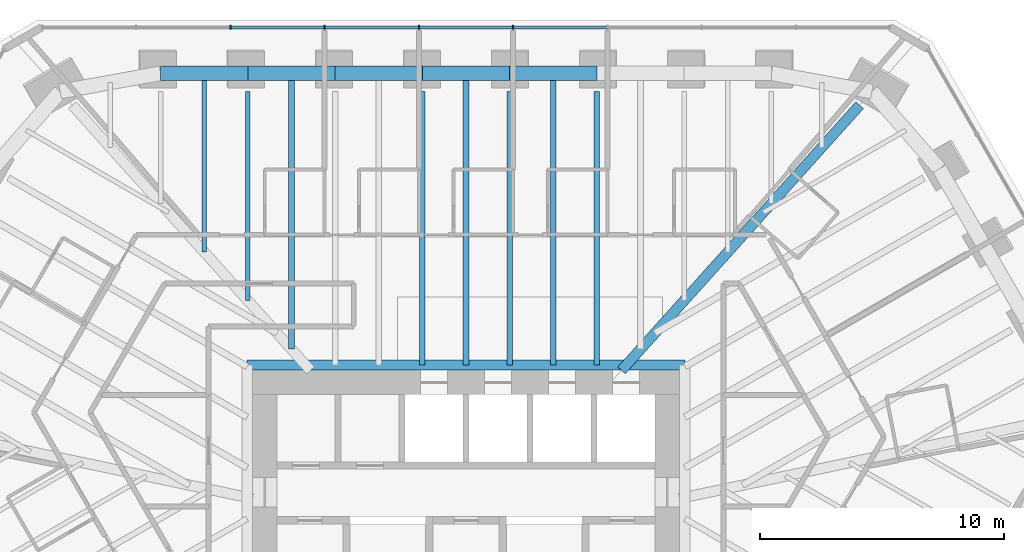
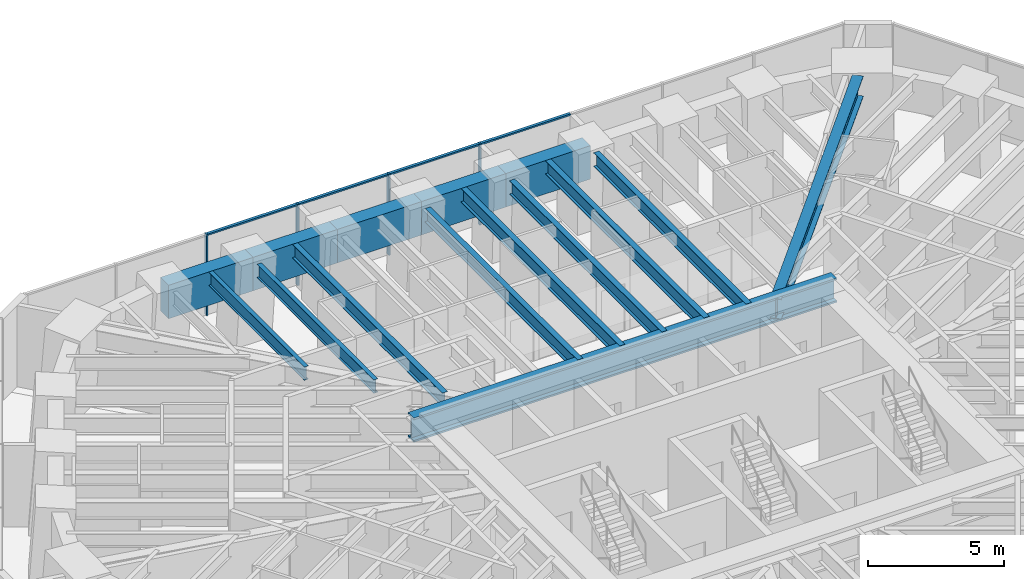
# One storey, part 8 of 17: 15 beams, 8 members, 1 element without a shape of its own.
"""IFC4 building model written with IfcOpenShell, lengths in metres."""

import ifcopenshell
import ifcopenshell.guid

model = None  # the IFC model being written
_history = None  # IfcOwnerHistory: only IFC2X3 demands one
_inside = {}  # id of a spatial element -> (the spatial element, [elements in it])
_under = {}  # id of a project, library or spatial element -> (it, [spatial elements below it])
_declared = {}  # id of a project -> (the project, [libraries it declares])
_typed = {}  # id of a type object -> (the type object, [elements of that type])
_made_of = {}  # id of a material, layer set ... -> (it, [elements and type objects made of it])


def new_model(schema):
    """Start an empty IFC model of exactly this schema.

    Asked for "IFC4X3", IfcOpenShell would pick the latest addendum, in which some entities
    have other attributes; the version numbers below select the first issue.
    IFC2X3 requires an IfcOwnerHistory on every rooted entity: one is made here for all.
    """
    global model, _history
    if schema == "IFC4X3":
        model = ifcopenshell.file(schema_version=(4, 3, 0, 0))
    else:
        model = ifcopenshell.file(schema=schema)
    _inside.clear()
    _under.clear()
    _declared.clear()
    _typed.clear()
    _made_of.clear()
    _history = None
    if model.schema == "IFC2X3":
        org = make("IfcOrganization", Name="unknown")
        user = make(
            "IfcPersonAndOrganization",
            ThePerson=make("IfcPerson", FamilyName="unknown"),
            TheOrganization=org,
        )
        app = make(
            "IfcApplication",
            ApplicationDeveloper=org,
            Version="unknown",
            ApplicationFullName="unknown",
            ApplicationIdentifier="unknown",
        )
        _history = make(
            "IfcOwnerHistory",
            OwningUser=user,
            OwningApplication=app,
            ChangeAction="ADDED",
            CreationDate=0,
        )
    return model


def make(cls, **values):
    """One entity of the class cls with the attributes given. An attribute that is None is left unset."""
    return model.create_entity(
        cls, **{name: value for name, value in values.items() if value is not None}
    )


def rooted(cls, **values):
    """An entity with a GlobalId (a new one), such as an element, a storey or a relation."""
    return make(cls, GlobalId=ifcopenshell.guid.new(), OwnerHistory=_history, **values)


def si_unit(unit_type, name, prefix=None):
    """IfcSIUnit, for example si_unit("LENGTHUNIT", "METRE", prefix="MILLI")."""
    return make("IfcSIUnit", UnitType=unit_type, Prefix=prefix, Name=name)


def assignment(units):
    """IfcUnitAssignment: the units of a project."""
    return None if units is None else make("IfcUnitAssignment", Units=units)


def point(xyz):
    """IfcCartesianPoint."""
    return None if xyz is None else make("IfcCartesianPoint", Coordinates=xyz)


def direction(xyz):
    """IfcDirection."""
    return None if xyz is None else make("IfcDirection", DirectionRatios=xyz)


def frame(location, z_axis=None, x_axis=None):
    """IfcAxis2Placement3D, a coordinate frame: its origin and axes. An axis left out is left unset."""
    return make(
        "IfcAxis2Placement3D",
        Location=point(location),
        Axis=direction(z_axis),
        RefDirection=direction(x_axis),
    )


def frame_2d(location, x_axis=None):
    """IfcAxis2Placement2D, a coordinate frame in the plane: its origin and x axis."""
    return make(
        "IfcAxis2Placement2D", Location=point(location), RefDirection=direction(x_axis)
    )


def origin():
    """The frame at (0, 0, 0) with its axes left unset."""
    return frame((0.0, 0.0, 0.0))


def origin_2d():
    """The frame at (0, 0) in the plane with its x axis left unset."""
    return frame_2d((0.0, 0.0))


def place(relative_to, where):
    """IfcLocalPlacement: puts the frame where relative to a parent placement (None: the world)."""
    return make(
        "IfcLocalPlacement", PlacementRelTo=relative_to, RelativePlacement=where
    )


def context(
    kind, dimensions, precision=None, world=None, true_north=None, identifier=None
):
    """IfcGeometricRepresentationContext, for example the 3D "Model" context."""
    return make(
        "IfcGeometricRepresentationContext",
        ContextIdentifier=identifier,
        ContextType=kind,
        CoordinateSpaceDimension=dimensions,
        Precision=precision,
        WorldCoordinateSystem=world,
        TrueNorth=true_north,
    )


def subcontext(parent, identifier, kind, view, scale=None):
    """IfcGeometricRepresentationSubContext, for example "Body" below "Model"."""
    return make(
        "IfcGeometricRepresentationSubContext",
        ContextIdentifier=identifier,
        ContextType=kind,
        ParentContext=parent,
        TargetScale=scale,
        TargetView=view,
    )


def project(units=None, contexts=None):
    """IfcProject with its units and contexts."""
    return rooted(
        "IfcProject",
        Name="project",
        RepresentationContexts=contexts,
        UnitsInContext=assignment(units),
    )


def spatial(cls, under=None, at=None, **own):
    """A site, building, storey or space (cls), placed at a placement, below another one or the project."""
    s = rooted(cls, ObjectPlacement=at, **own)
    if under is not None:
        _under.setdefault(under.id(), (under, []))[1].append(s)
    return s


def profile(cls, at=None, kind="AREA", **sizes):
    """A parametric profile (cls). Its sizes go by their IFC names, for example OverallWidth=200.0."""
    return make(cls, ProfileType=kind, Position=at, **sizes)


def rectangle(**sizes):
    """IfcRectangleProfileDef."""
    return profile("IfcRectangleProfileDef", **sizes)


def i_section(**sizes):
    """IfcIShapeProfileDef."""
    return profile("IfcIShapeProfileDef", **sizes)


def extrude(swept, where, along, depth):
    """IfcExtrudedAreaSolid: the profile swept, set in the frame where, extruded along a direction by depth."""
    return make(
        "IfcExtrudedAreaSolid",
        SweptArea=swept,
        Position=where,
        ExtrudedDirection=direction(along),
        Depth=depth,
    )


def shape(context_of_items, identifier, shape_type, items):
    """IfcShapeRepresentation: the items that make up one representation, for example the "Body"."""
    return make(
        "IfcShapeRepresentation",
        ContextOfItems=context_of_items,
        RepresentationIdentifier=identifier,
        RepresentationType=shape_type,
        Items=items,
    )


def material(Name=None, Category=None):
    """IfcMaterial."""
    return make("IfcMaterial", Name=Name, Category=Category)


def material_profile(
    of_material, cross_section, Name=None, Category=None, Priority=None
):
    """IfcMaterialProfile: a cross section and its material."""
    return make(
        "IfcMaterialProfile",
        Name=Name,
        Material=of_material,
        Profile=cross_section,
        Priority=Priority,
        Category=Category,
    )


def profile_set(profiles, Name=None, composite=None):
    """IfcMaterialProfileSet."""
    return make(
        "IfcMaterialProfileSet",
        Name=Name,
        MaterialProfiles=profiles,
        CompositeProfile=composite,
    )


def made_of(thing, what):
    """Note that an element or type object is made of a material, layer set ...; save() writes the relation."""
    if what is not None:
        _made_of.setdefault(what.id(), (what, []))[1].append(thing)
    return thing


def type_object(cls, material=None, **own):
    """A type object (cls), such as IfcWallType, which elements share."""
    return made_of(rooted(cls, **own), material)


def element(
    cls,
    number,
    at=None,
    inside=None,
    cuts=None,
    type_object=None,
    material=None,
    context=None,
    identifier="Body",
    shape_type=None,
    held_by="IfcProductDefinitionShape",
    body=None,
    shapes=None,
    **own,
):
    """One element of the class cls, such as IfcWall. Its Tag is "e" and its number.

    at: its placement. inside: the storey or other place that contains it. cuts: it is an
    opening in that element (IfcRelVoidsElement). A single representation is given by context,
    identifier, shape_type and body (its items); several are given by shapes. held_by: the class
    of the entity that holds the representations. save() writes the other relations.
    """
    e = rooted(cls, Tag="e%d" % number, ObjectPlacement=at, **own)
    if body is not None:
        shapes = [shape(context, identifier, shape_type, body)]
    if shapes is not None:
        e.Representation = make(held_by, Representations=shapes)
    if inside is not None:
        _inside.setdefault(inside.id(), (inside, []))[1].append(e)
    if cuts is not None:
        rooted(
            "IfcRelVoidsElement", RelatingBuildingElement=cuts, RelatedOpeningElement=e
        )
    if type_object is not None:
        _typed.setdefault(type_object.id(), (type_object, []))[1].append(e)
    return made_of(e, material)


def aggregate(whole, parts):
    """IfcRelAggregates: a whole, such as a stair, and the parts it consists of."""
    return rooted("IfcRelAggregates", RelatingObject=whole, RelatedObjects=parts)


def save(model, path):
    """Write the relations noted so far, then the file.

    IfcRelAggregates (storeys below a building ...), IfcRelContainedInSpatialStructure (elements
    in a storey), IfcRelDefinesByType, IfcRelAssociatesMaterial and IfcRelDeclares: one each for
    every whole, place, type object, material and project.
    """
    for whole, parts in _under.values():
        aggregate(whole, parts)
    for where, things in _inside.values():
        rooted(
            "IfcRelContainedInSpatialStructure",
            RelatedElements=things,
            RelatingStructure=where,
        )
    for kind, things in _typed.values():
        rooted("IfcRelDefinesByType", RelatedObjects=things, RelatingType=kind)
    for what, things in _made_of.values():
        rooted("IfcRelAssociatesMaterial", RelatedObjects=things, RelatingMaterial=what)
    for by, libraries in _declared.values():
        rooted("IfcRelDeclares", RelatingContext=by, RelatedDefinitions=libraries)
    model.write(path)


model = new_model("IFC4")

# Units and contexts
model_context = context("Model", 3, precision=1e-05, world=origin(), true_north=direction((0.0, 1.0)))
body_context = subcontext(model_context, "Body", "Model", "MODEL_VIEW")
ifc_project = project(units=[si_unit("LENGTHUNIT", "METRE"), si_unit("AREAUNIT", "SQUARE_METRE"), si_unit("VOLUMEUNIT", "CUBIC_METRE"), si_unit("PLANEANGLEUNIT", "RADIAN"), si_unit("MASSUNIT", "GRAM", prefix="KILO")], contexts=[model_context])

# Site, building, storey
site_placement = place(None, origin())
site = spatial("IfcSite", under=ifc_project, at=site_placement, CompositionType="ELEMENT")
building_placement = place(site_placement, origin())
building = spatial("IfcBuilding", under=site, at=building_placement, Name="Sandreach Pilgrim Tower", CompositionType="ELEMENT")
storey_placement = place(building_placement, frame((0.0, 0.0, 240.199951171875)))
storey = spatial("IfcBuildingStorey", under=building, at=storey_placement, Name="L60", CompositionType="ELEMENT", Elevation=240.199951171875)

# Curtain wall, members
ifc_material_1 = material(Name="Aluminium framed curtain wall", Category="aluminium")
curtain_wall_type = type_object("IfcCurtainWallType", Name="Upper hotel tower curtain wall", PredefinedType="NOTDEFINED", material=ifc_material_1)
curtain_wall_placement = place(storey_placement, origin())
curtain_wall = element("IfcCurtainWall", 1, at=curtain_wall_placement, inside=storey, type_object=curtain_wall_type, Name="CW-3 L60 N", PredefinedType="NOTDEFINED")
ifc_material_2 = material(Name="Aluminium extrusion", Category="aluminium")
ifc_material_profile_1 = material_profile(ifc_material_2, rectangle(XDim=0.06494140625, YDim=0.159912109375, at=origin_2d()), Name="CW-3M 65X160")
ifc_profile_set_1 = profile_set([ifc_material_profile_1], Name="Aluminium extrusion")
member_type_1 = type_object("IfcMemberType", Name="CW-3 mullion", PredefinedType="MULLION", material=ifc_profile_set_1)
member_1_placement = place(storey_placement, frame((-9.6611328125, 21.16015625, 0.0), z_axis=(0.0, 0.0, 1.0), x_axis=(1.0, 0.0, 0.0)))
member_1 = element("IfcMember", 2, at=member_1_placement, type_object=member_type_1, Name="CW-3 mullion 3", PredefinedType="MULLION", context=body_context, shape_type="SweptSolid", body=[
    extrude(rectangle(XDim=0.06494140625, YDim=0.159912109375, at=origin_2d()), origin(), (0.0, 0.0, 1.0), 3.64013671875),
])
member_2_placement = place(storey_placement, frame((-5.796630859375, 21.16015625, 0.0), z_axis=(0.0, 0.0, 1.0), x_axis=(1.0, 0.0, 0.0)))
member_2 = element("IfcMember", 3, at=member_2_placement, type_object=member_type_1, Name="CW-3 mullion 4", PredefinedType="MULLION", context=body_context, shape_type="SweptSolid", body=[
    extrude(rectangle(XDim=0.06494140625, YDim=0.159912109375, at=origin_2d()), origin(), (0.0, 0.0, 1.0), 3.64013671875),
])
member_3_placement = place(storey_placement, frame((-1.93212890625, 21.16015625, 0.0), z_axis=(0.0, 0.0, 1.0), x_axis=(1.0, 0.0, 0.0)))
member_3 = element("IfcMember", 4, at=member_3_placement, type_object=member_type_1, Name="CW-3 mullion 5", PredefinedType="MULLION", context=body_context, shape_type="SweptSolid", body=[
    extrude(rectangle(XDim=0.06494140625, YDim=0.159912109375, at=origin_2d()), origin(), (0.0, 0.0, 1.0), 3.64013671875),
])
member_4_placement = place(storey_placement, frame((1.93212890625, 21.16015625, 0.0), z_axis=(0.0, 0.0, 1.0), x_axis=(1.0, 0.0, 0.0)))
member_4 = element("IfcMember", 5, at=member_4_placement, type_object=member_type_1, Name="CW-3 mullion 6", PredefinedType="MULLION", context=body_context, shape_type="SweptSolid", body=[
    extrude(rectangle(XDim=0.06494140625, YDim=0.159912109375, at=origin_2d()), origin(), (0.0, 0.0, 1.0), 3.64013671875),
])
ifc_material_3 = material(Name="Aluminium extrusion", Category="aluminium")
ifc_material_profile_2 = material_profile(ifc_material_3, rectangle(XDim=0.1201171875, YDim=0.070068359375, at=origin_2d()), Name="CW-3T 120X70")
ifc_profile_set_2 = profile_set([ifc_material_profile_2], Name="Aluminium extrusion")
member_type_2 = type_object("IfcMemberType", Name="CW-3 transom", PredefinedType="USERDEFINED", material=ifc_profile_set_2)
member_5_placement = place(storey_placement, frame((-9.628662109375, 21.16015625, 3.60498046875), z_axis=(1.0, 0.0, 0.0), x_axis=(0.0, 1.0, 0.0)))
member_5 = element("IfcMember", 6, at=member_5_placement, type_object=member_type_2, Name="CW-3 head transom 3", ObjectType="TRANSOM", PredefinedType="USERDEFINED", context=body_context, shape_type="SweptSolid", body=[
    extrude(rectangle(XDim=0.1201171875, YDim=0.070068359375, at=origin_2d()), origin(), (0.0, 0.0, 1.0), 3.799560546875),
])
member_6_placement = place(storey_placement, frame((-5.76416015625, 21.16015625, 3.60498046875), z_axis=(1.0, 0.0, 0.0), x_axis=(0.0, 1.0, 0.0)))
member_6 = element("IfcMember", 7, at=member_6_placement, type_object=member_type_2, Name="CW-3 head transom 4", ObjectType="TRANSOM", PredefinedType="USERDEFINED", context=body_context, shape_type="SweptSolid", body=[
    extrude(rectangle(XDim=0.1201171875, YDim=0.070068359375, at=origin_2d()), origin(), (0.0, 0.0, 1.0), 3.799560546875),
])
member_7_placement = place(storey_placement, frame((-1.899658203125, 21.16015625, 3.60498046875), z_axis=(1.0, 0.0, 0.0), x_axis=(0.0, 1.0, 0.0)))
member_7 = element("IfcMember", 8, at=member_7_placement, type_object=member_type_2, Name="CW-3 head transom 5", ObjectType="TRANSOM", PredefinedType="USERDEFINED", context=body_context, shape_type="SweptSolid", body=[
    extrude(rectangle(XDim=0.1201171875, YDim=0.070068359375, at=origin_2d()), origin(), (0.0, 0.0, 1.0), 3.79931640625),
])
member_8_placement = place(storey_placement, frame((1.964599609375, 21.16015625, 3.60498046875), z_axis=(1.0, 0.0, 0.0), x_axis=(0.0, 1.0, 0.0)))
member_8 = element("IfcMember", 9, at=member_8_placement, type_object=member_type_2, Name="CW-3 head transom 6", ObjectType="TRANSOM", PredefinedType="USERDEFINED", context=body_context, shape_type="SweptSolid", body=[
    extrude(rectangle(XDim=0.1201171875, YDim=0.070068359375, at=origin_2d()), origin(), (0.0, 0.0, 1.0), 3.799560546875),
])
aggregate(curtain_wall, [member_1, member_2, member_3, member_4, member_5, member_6, member_7, member_8])

# Beams
ifc_material_4 = material(Name="Steel ASTM A992 Grade 50", Category="steel")
ifc_material_profile_3 = material_profile(ifc_material_4, i_section(OverallWidth=0.424072265625, OverallDepth=1.09228515625, WebThickness=0.04541015625, FlangeThickness=0.08203125, at=origin_2d()), Name="W40X593")
ifc_profile_set_3 = profile_set([ifc_material_profile_3], Name="Steel ASTM A992 Grade 50")
beam_type_1 = type_object("IfcBeamType", Name="Core edge beam W40X593", PredefinedType="BEAM", material=ifc_profile_set_3)
beam_1_placement = place(storey_placement, frame((-8.97216796875, 7.322021484375, 3.093994140625), z_axis=(1.0, 0.0, 0.0), x_axis=(0.0, 1.0, 0.0)))
element("IfcBeam", 10, at=beam_1_placement, inside=storey, type_object=beam_type_1, Name="BM L60 CEN", PredefinedType="BEAM", context=body_context, shape_type="SweptSolid", body=[
    extrude(i_section(OverallWidth=0.424072265625, OverallDepth=1.09228515625, WebThickness=0.04541015625, FlangeThickness=0.08203125, at=origin_2d()), origin(), (0.0, 0.0, 1.0), 17.9443359375),
])
ifc_material_5 = material(Name="Steel ASTM A992 Grade 50", Category="steel")
ifc_material_profile_4 = material_profile(ifc_material_5, i_section(OverallWidth=0.419189453125, OverallDepth=0.927001953125, WebThickness=0.019287109375, FlangeThickness=0.031982421875, at=origin_2d()), Name="W36X231")
ifc_profile_set_4 = profile_set([ifc_material_profile_4], Name="Steel ASTM A992 Grade 50")
beam_type_2 = type_object("IfcBeamType", Name="Corner girder W36X231", PredefinedType="BEAM", material=ifc_profile_set_4)
beam_2_placement = place(storey_placement, frame((16.13427734375, 17.96826171875, 3.176513671875), z_axis=(-0.668111021474, -0.744061598918, 0.0), x_axis=(0.744061598918, -0.668111021474, 0.0)))
element("IfcBeam", 11, at=beam_2_placement, inside=storey, type_object=beam_type_2, Name="BM L60 CG09", PredefinedType="BEAM", context=body_context, shape_type="SweptSolid", body=[
    extrude(i_section(OverallWidth=0.419189453125, OverallDepth=0.927001953125, WebThickness=0.019287109375, FlangeThickness=0.031982421875, at=origin_2d()), origin(), (0.0, 0.0, 1.0), 14.6064453125),
])
ifc_material_6 = material(Name="Steel ASTM A992 Grade 50", Category="steel")
ifc_material_profile_5 = material_profile(ifc_material_6, i_section(OverallWidth=0.1787109375, OverallDepth=0.60205078125, WebThickness=0.010986328125, FlangeThickness=0.014892578125, at=origin_2d()), Name="W24X62")
ifc_profile_set_5 = profile_set([ifc_material_profile_5], Name="Steel ASTM A992 Grade 50")
beam_type_3 = type_object("IfcBeamType", Name="Floor beam W24X62", PredefinedType="BEAM", material=ifc_profile_set_5)
beam_3_placement = place(storey_placement, frame((-8.942138671875, 18.527099609375, 3.339111328125), z_axis=(0.0, -1.0, 0.0), x_axis=(1.0, 0.0, 0.0)))
element("IfcBeam", 12, at=beam_3_placement, inside=storey, type_object=beam_type_3, Name="BM L60 F02", PredefinedType="BEAM", context=body_context, shape_type="SweptSolid", body=[
    extrude(i_section(OverallWidth=0.1787109375, OverallDepth=0.60205078125, WebThickness=0.010986328125, FlangeThickness=0.014892578125, at=origin_2d()), origin(), (0.0, 0.0, 1.0), 8.568603515625),
])
beam_4_placement = place(storey_placement, frame((-10.730712890625, 19.277099609375, 3.339111328125), z_axis=(0.0, -1.0, 0.0), x_axis=(1.0, 0.0, 0.0)))
element("IfcBeam", 13, at=beam_4_placement, inside=storey, type_object=beam_type_3, Name="BM L60 FM01", PredefinedType="BEAM", context=body_context, shape_type="SweptSolid", body=[
    extrude(i_section(OverallWidth=0.1787109375, OverallDepth=0.60205078125, WebThickness=0.010986328125, FlangeThickness=0.014892578125, at=origin_2d()), origin(), (0.0, 0.0, 1.0), 7.326904296875),
])
ifc_material_7 = material(Name="Steel ASTM A992 Grade 50", Category="steel")
ifc_material_profile_6 = material_profile(ifc_material_7, i_section(OverallWidth=0.23046875, OverallDepth=0.6171875, WebThickness=0.01318359375, FlangeThickness=0.022216796875, at=origin_2d()), Name="W24X94")
ifc_profile_set_6 = profile_set([ifc_material_profile_6], Name="Steel ASTM A992 Grade 50")
beam_type_4 = type_object("IfcBeamType", Name="Floor beam W24X94", PredefinedType="BEAM", material=ifc_profile_set_6)
for number, where, z_axis, x_axis, name in (
    (14, (-1.788330078125, 18.527099609375, 3.33154296875), (0.0, -1.0, 0.0), (1.0, 0.0, 0.0), "BM L60 F04"),
    (15, (1.788330078125, 18.527099609375, 3.33154296875), (0.0, -1.0, 0.0), (1.0, 0.0, 0.0), "BM L60 F05"),
    (16, (5.365234375, 18.527099609375, 3.33154296875), (0.0, -1.0, 0.0), (1.0, 0.0, 0.0), "BM L60 F06"),
):
    element("IfcBeam", number, at=place(storey_placement, frame(where, z_axis=z_axis, x_axis=x_axis)), inside=storey, type_object=beam_type_4, Name=name, PredefinedType="BEAM", context=body_context, shape_type="SweptSolid", body=[
        extrude(i_section(OverallWidth=0.23046875, OverallDepth=0.6171875, WebThickness=0.01318359375, FlangeThickness=0.022216796875, at=origin_2d()), origin(), (0.0, 0.0, 1.0), 11.205078125),
    ])
beam_5_placement = place(storey_placement, frame((-7.15380859375, 19.277099609375, 3.33154296875), z_axis=(0.0, -1.0, 0.0), x_axis=(1.0, 0.0, 0.0)))
element("IfcBeam", 17, at=beam_5_placement, inside=storey, type_object=beam_type_4, Name="BM L60 FM02", PredefinedType="BEAM", context=body_context, shape_type="SweptSolid", body=[
    extrude(i_section(OverallWidth=0.23046875, OverallDepth=0.6171875, WebThickness=0.01318359375, FlangeThickness=0.022216796875, at=origin_2d()), origin(), (0.0, 0.0, 1.0), 11.310302734375),
])
for number, where, z_axis, x_axis, name in (
    (18, (0.0, 19.277099609375, 3.33154296875), (0.0, -1.0, 0.0), (1.0, 0.0, 0.0), "BM L60 FM04"),
    (19, (3.576904296875, 19.277099609375, 3.33154296875), (0.0, -1.0, 0.0), (1.0, 0.0, 0.0), "BM L60 FM05"),
):
    element("IfcBeam", number, at=place(storey_placement, frame(where, z_axis=z_axis, x_axis=x_axis)), inside=storey, type_object=beam_type_4, Name=name, PredefinedType="BEAM", context=body_context, shape_type="SweptSolid", body=[
        extrude(i_section(OverallWidth=0.23046875, OverallDepth=0.6171875, WebThickness=0.01318359375, FlangeThickness=0.022216796875, at=origin_2d()), origin(), (0.0, 0.0, 1.0), 11.955078125),
    ])
ifc_material_8 = material(Name="Concrete 10000 psi", Category="concrete")
ifc_material_profile_7 = material_profile(ifc_material_8, rectangle(XDim=0.60009765625, YDim=1.5, at=origin_2d()), Name="RC600X1500")
ifc_profile_set_7 = profile_set([ifc_material_profile_7], Name="Concrete 10000 psi")
beam_type_5 = type_object("IfcBeamType", Name="Spandrel beam RC600X1500", PredefinedType="SPANDREL", material=ifc_profile_set_7)
for number, where, z_axis, x_axis, name in (
    (20, (-12.51904296875, 19.277099609375, 2.89013671875), (1.0, 0.0, 0.0), (0.0, 1.0, 0.0), "BM L60 SP01"),
    (21, (-8.942138671875, 19.277099609375, 2.89013671875), (1.0, 0.0, 0.0), (0.0, 1.0, 0.0), "BM L60 SP02"),
    (22, (-5.365234375, 19.277099609375, 2.89013671875), (1.0, 0.0, 0.0), (0.0, 1.0, 0.0), "BM L60 SP03"),
):
    element("IfcBeam", number, at=place(storey_placement, frame(where, z_axis=z_axis, x_axis=x_axis)), inside=storey, type_object=beam_type_5, Name=name, PredefinedType="SPANDREL", context=body_context, shape_type="SweptSolid", body=[
        extrude(rectangle(XDim=0.60009765625, YDim=1.5, at=origin_2d()), origin(), (0.0, 0.0, 1.0), 3.576904296875),
    ])
beam_6_placement = place(storey_placement, frame((-1.788330078125, 19.277099609375, 2.89013671875), z_axis=(1.0, 0.0, 0.0), x_axis=(0.0, 1.0, 0.0)))
element("IfcBeam", 23, at=beam_6_placement, inside=storey, type_object=beam_type_5, Name="BM L60 SP04", PredefinedType="SPANDREL", context=body_context, shape_type="SweptSolid", body=[
    extrude(rectangle(XDim=0.60009765625, YDim=1.5, at=origin_2d()), origin(), (0.0, 0.0, 1.0), 3.57666015625),
])
beam_7_placement = place(storey_placement, frame((1.788330078125, 19.277099609375, 2.89013671875), z_axis=(1.0, 0.0, 0.0), x_axis=(0.0, 1.0, 0.0)))
element("IfcBeam", 24, at=beam_7_placement, inside=storey, type_object=beam_type_5, Name="BM L60 SP05", PredefinedType="SPANDREL", context=body_context, shape_type="SweptSolid", body=[
    extrude(rectangle(XDim=0.60009765625, YDim=1.5, at=origin_2d()), origin(), (0.0, 0.0, 1.0), 3.576904296875),
])

save(model, "model.ifc")
